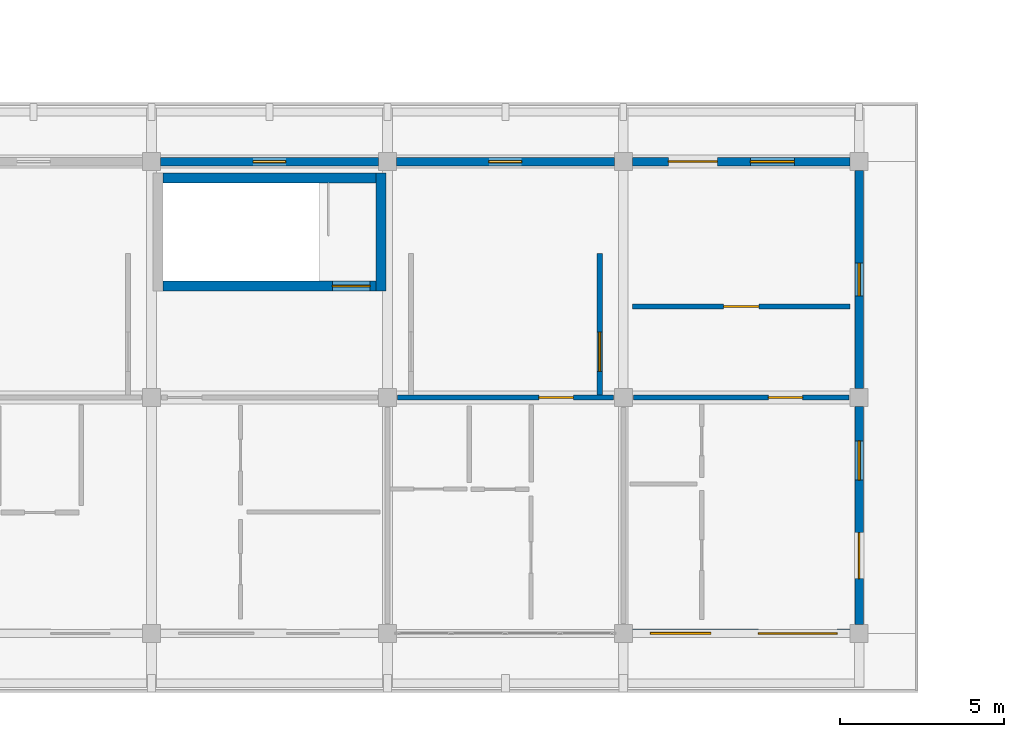
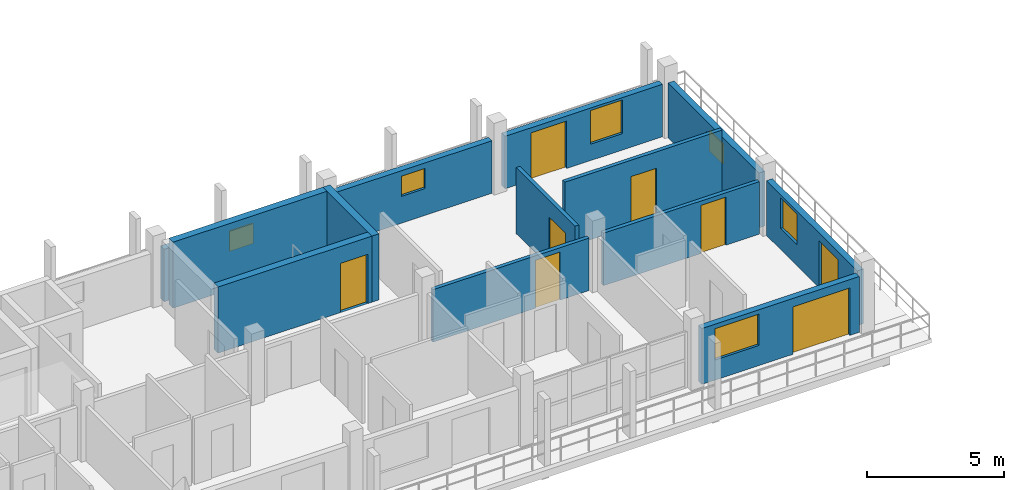
# One storey, part 37 of 65: 13 walls, 8 doors, 6 windows, 14 openings.
"""IFC4 building model written with IfcOpenShell, lengths in metres."""

import ifcopenshell
import ifcopenshell.guid

model = None  # the IFC model being written
_history = None  # IfcOwnerHistory: only IFC2X3 demands one
_inside = {}  # id of a spatial element -> (the spatial element, [elements in it])
_under = {}  # id of a project, library or spatial element -> (it, [spatial elements below it])
_declared = {}  # id of a project -> (the project, [libraries it declares])
_typed = {}  # id of a type object -> (the type object, [elements of that type])
_made_of = {}  # id of a material, layer set ... -> (it, [elements and type objects made of it])


def new_model(schema):
    """Start an empty IFC model of exactly this schema.

    Asked for "IFC4X3", IfcOpenShell would pick the latest addendum, in which some entities
    have other attributes; the version numbers below select the first issue.
    IFC2X3 requires an IfcOwnerHistory on every rooted entity: one is made here for all.
    """
    global model, _history
    if schema == "IFC4X3":
        model = ifcopenshell.file(schema_version=(4, 3, 0, 0))
    else:
        model = ifcopenshell.file(schema=schema)
    _inside.clear()
    _under.clear()
    _declared.clear()
    _typed.clear()
    _made_of.clear()
    _history = None
    if model.schema == "IFC2X3":
        org = make("IfcOrganization", Name="unknown")
        user = make(
            "IfcPersonAndOrganization",
            ThePerson=make("IfcPerson", FamilyName="unknown"),
            TheOrganization=org,
        )
        app = make(
            "IfcApplication",
            ApplicationDeveloper=org,
            Version="unknown",
            ApplicationFullName="unknown",
            ApplicationIdentifier="unknown",
        )
        _history = make(
            "IfcOwnerHistory",
            OwningUser=user,
            OwningApplication=app,
            ChangeAction="ADDED",
            CreationDate=0,
        )
    return model


def make(cls, **values):
    """One entity of the class cls with the attributes given. An attribute that is None is left unset."""
    return model.create_entity(
        cls, **{name: value for name, value in values.items() if value is not None}
    )


def rooted(cls, **values):
    """An entity with a GlobalId (a new one), such as an element, a storey or a relation."""
    return make(cls, GlobalId=ifcopenshell.guid.new(), OwnerHistory=_history, **values)


def si_unit(unit_type, name, prefix=None):
    """IfcSIUnit, for example si_unit("LENGTHUNIT", "METRE", prefix="MILLI")."""
    return make("IfcSIUnit", UnitType=unit_type, Prefix=prefix, Name=name)


def assignment(units):
    """IfcUnitAssignment: the units of a project."""
    return None if units is None else make("IfcUnitAssignment", Units=units)


def point(xyz):
    """IfcCartesianPoint."""
    return None if xyz is None else make("IfcCartesianPoint", Coordinates=xyz)


def direction(xyz):
    """IfcDirection."""
    return None if xyz is None else make("IfcDirection", DirectionRatios=xyz)


def frame(location, z_axis=None, x_axis=None):
    """IfcAxis2Placement3D, a coordinate frame: its origin and axes. An axis left out is left unset."""
    return make(
        "IfcAxis2Placement3D",
        Location=point(location),
        Axis=direction(z_axis),
        RefDirection=direction(x_axis),
    )


def frame_2d(location, x_axis=None):
    """IfcAxis2Placement2D, a coordinate frame in the plane: its origin and x axis."""
    return make(
        "IfcAxis2Placement2D", Location=point(location), RefDirection=direction(x_axis)
    )


def origin():
    """The frame at (0, 0, 0) with its axes left unset."""
    return frame((0.0, 0.0, 0.0))


def place(relative_to, where):
    """IfcLocalPlacement: puts the frame where relative to a parent placement (None: the world)."""
    return make(
        "IfcLocalPlacement", PlacementRelTo=relative_to, RelativePlacement=where
    )


def context(
    kind, dimensions, precision=None, world=None, true_north=None, identifier=None
):
    """IfcGeometricRepresentationContext, for example the 3D "Model" context."""
    return make(
        "IfcGeometricRepresentationContext",
        ContextIdentifier=identifier,
        ContextType=kind,
        CoordinateSpaceDimension=dimensions,
        Precision=precision,
        WorldCoordinateSystem=world,
        TrueNorth=true_north,
    )


def subcontext(parent, identifier, kind, view, scale=None):
    """IfcGeometricRepresentationSubContext, for example "Body" below "Model"."""
    return make(
        "IfcGeometricRepresentationSubContext",
        ContextIdentifier=identifier,
        ContextType=kind,
        ParentContext=parent,
        TargetScale=scale,
        TargetView=view,
    )


def project(units=None, contexts=None):
    """IfcProject with its units and contexts."""
    return rooted(
        "IfcProject",
        Name="project",
        RepresentationContexts=contexts,
        UnitsInContext=assignment(units),
    )


def spatial(cls, under=None, at=None, **own):
    """A site, building, storey or space (cls), placed at a placement, below another one or the project."""
    s = rooted(cls, ObjectPlacement=at, **own)
    if under is not None:
        _under.setdefault(under.id(), (under, []))[1].append(s)
    return s


def profile(cls, at=None, kind="AREA", **sizes):
    """A parametric profile (cls). Its sizes go by their IFC names, for example OverallWidth=200.0."""
    return make(cls, ProfileType=kind, Position=at, **sizes)


def rectangle(**sizes):
    """IfcRectangleProfileDef."""
    return profile("IfcRectangleProfileDef", **sizes)


def extrude(swept, where, along, depth):
    """IfcExtrudedAreaSolid: the profile swept, set in the frame where, extruded along a direction by depth."""
    return make(
        "IfcExtrudedAreaSolid",
        SweptArea=swept,
        Position=where,
        ExtrudedDirection=direction(along),
        Depth=depth,
    )


def shape(context_of_items, identifier, shape_type, items):
    """IfcShapeRepresentation: the items that make up one representation, for example the "Body"."""
    return make(
        "IfcShapeRepresentation",
        ContextOfItems=context_of_items,
        RepresentationIdentifier=identifier,
        RepresentationType=shape_type,
        Items=items,
    )


def material(Name=None, Category=None):
    """IfcMaterial."""
    return make("IfcMaterial", Name=Name, Category=Category)


def layer(
    of_material, thickness, ventilated=None, Name=None, Category=None, Priority=None
):
    """IfcMaterialLayer: one layer of a wall or slab, of a material (None: an air gap)."""
    return make(
        "IfcMaterialLayer",
        Material=of_material,
        LayerThickness=thickness,
        IsVentilated=ventilated,
        Name=Name,
        Category=Category,
        Priority=Priority,
    )


def layer_set(layers, Name=None):
    """IfcMaterialLayerSet."""
    return make("IfcMaterialLayerSet", MaterialLayers=layers, LayerSetName=Name)


def made_of(thing, what):
    """Note that an element or type object is made of a material, layer set ...; save() writes the relation."""
    if what is not None:
        _made_of.setdefault(what.id(), (what, []))[1].append(thing)
    return thing


def type_object(cls, material=None, **own):
    """A type object (cls), such as IfcWallType, which elements share."""
    return made_of(rooted(cls, **own), material)


def element(
    cls,
    number,
    at=None,
    inside=None,
    cuts=None,
    type_object=None,
    material=None,
    context=None,
    identifier="Body",
    shape_type=None,
    held_by="IfcProductDefinitionShape",
    body=None,
    shapes=None,
    **own,
):
    """One element of the class cls, such as IfcWall. Its Tag is "e" and its number.

    at: its placement. inside: the storey or other place that contains it. cuts: it is an
    opening in that element (IfcRelVoidsElement). A single representation is given by context,
    identifier, shape_type and body (its items); several are given by shapes. held_by: the class
    of the entity that holds the representations. save() writes the other relations.
    """
    e = rooted(cls, Tag="e%d" % number, ObjectPlacement=at, **own)
    if body is not None:
        shapes = [shape(context, identifier, shape_type, body)]
    if shapes is not None:
        e.Representation = make(held_by, Representations=shapes)
    if inside is not None:
        _inside.setdefault(inside.id(), (inside, []))[1].append(e)
    if cuts is not None:
        rooted(
            "IfcRelVoidsElement", RelatingBuildingElement=cuts, RelatedOpeningElement=e
        )
    if type_object is not None:
        _typed.setdefault(type_object.id(), (type_object, []))[1].append(e)
    return made_of(e, material)


def fill(opening, filler):
    """IfcRelFillsElement: the door or window that sits in an opening."""
    return rooted(
        "IfcRelFillsElement",
        RelatingOpeningElement=opening,
        RelatedBuildingElement=filler,
    )


def aggregate(whole, parts):
    """IfcRelAggregates: a whole, such as a stair, and the parts it consists of."""
    return rooted("IfcRelAggregates", RelatingObject=whole, RelatedObjects=parts)


def save(model, path):
    """Write the relations noted so far, then the file.

    IfcRelAggregates (storeys below a building ...), IfcRelContainedInSpatialStructure (elements
    in a storey), IfcRelDefinesByType, IfcRelAssociatesMaterial and IfcRelDeclares: one each for
    every whole, place, type object, material and project.
    """
    for whole, parts in _under.values():
        aggregate(whole, parts)
    for where, things in _inside.values():
        rooted(
            "IfcRelContainedInSpatialStructure",
            RelatedElements=things,
            RelatingStructure=where,
        )
    for kind, things in _typed.values():
        rooted("IfcRelDefinesByType", RelatedObjects=things, RelatingType=kind)
    for what, things in _made_of.values():
        rooted("IfcRelAssociatesMaterial", RelatedObjects=things, RelatingMaterial=what)
    for by, libraries in _declared.values():
        rooted("IfcRelDeclares", RelatingContext=by, RelatedDefinitions=libraries)
    model.write(path)


model = new_model("IFC4")

# Units and contexts
model_context = context("Model", 3, precision=1e-05, world=origin(), true_north=direction((0.0, 1.0)))
body_context = subcontext(model_context, "Body", "Model", "MODEL_VIEW")
ifc_project = project(units=[si_unit("LENGTHUNIT", "METRE"), si_unit("AREAUNIT", "SQUARE_METRE"), si_unit("VOLUMEUNIT", "CUBIC_METRE"), si_unit("PLANEANGLEUNIT", "RADIAN"), si_unit("MASSUNIT", "GRAM", prefix="KILO")], contexts=[model_context])

# Site, building, storey
site_placement = place(None, origin())
site = spatial("IfcSite", under=ifc_project, at=site_placement, CompositionType="ELEMENT")
building_placement = place(site_placement, origin())
building = spatial("IfcBuilding", under=site, at=building_placement, Name="Suanplinth Sawtooth Commons", CompositionType="ELEMENT")
storey_placement = place(building_placement, frame((0.0, 0.0, 28.300048828125)))
storey = spatial("IfcBuildingStorey", under=building, at=storey_placement, Name="L08", CompositionType="ELEMENT", Elevation=28.300048828125)

# Wall, opening, door
ifc_material_1 = material(Name="Concrete C40/50", Category="concrete")
ifc_layer_1 = layer(ifc_material_1, 0.300048828125, Name="Standard RC stair and lift core wall 300mm")
ifc_layer_set_1 = layer_set([ifc_layer_1], Name="Concrete C40/50")
wall_type_1 = type_object("IfcWallType", Name="W-CR02", PredefinedType="SHEAR", material=ifc_layer_set_1)
wall_1_placement = place(storey_placement, frame((29.14990234375, 10.60009765625, 0.0), z_axis=(0.0, 0.0, 1.0), x_axis=(1.0, 0.0, 0.0)))
wall_1 = element("IfcWall", 1, at=wall_1_placement, inside=storey, type_object=wall_type_1, Name="W-L08-C-D2-STS", PredefinedType="SHEAR", context=body_context, shape_type="SweptSolid", body=[
    extrude(rectangle(XDim=6.5, YDim=0.300048828125, at=frame_2d((3.25, 0.0))), origin(), (0.0, 0.0, 1.0), 2.949951171875),
])
opening_1_placement = place(wall_1_placement, frame((5.169921875, 0.0, 0.0)))
opening_1 = element("IfcOpeningElement", 2, at=opening_1_placement, cuts=wall_1, Name="Opening FD0424", PredefinedType="OPENING", context=body_context, shape_type="SweptSolid", body=[
    extrude(rectangle(XDim=1.14990234375, YDim=2.199951171875, at=frame_2d((0.574951171875, 1.10009765625))), frame((0.0, 0.1650390625, 0.0), z_axis=(0.0, -1.0, 0.0), x_axis=(1.0, 0.0, 0.0)), (0.0, 0.0, 1.0), 0.329833984375),
])
ifc_material_2 = material(Name="Teak hardwood fire-rated door assembly", Category="wood")
door_type_1 = type_object("IfcDoorType", Name="FD-01", OperationType="NOTDEFINED", PredefinedType="DOOR", material=ifc_material_2)
door_1_placement = place(opening_1_placement, origin())
door_1 = element("IfcDoor", 3, at=door_1_placement, inside=storey, type_object=door_type_1, Name="Exit Stair Fire Door FD0424", OperationType="SINGLE_SWING_LEFT", OverallHeight=2.199951171875, OverallWidth=1.14990234375, PredefinedType="DOOR", context=body_context, shape_type="SweptSolid", body=[
    extrude(rectangle(XDim=1.14990234375, YDim=2.199951171875, at=frame_2d((0.574951171875, 1.10009765625))), frame((0.0, 0.02490234375, 0.0), z_axis=(0.0, -1.0, 0.0), x_axis=(1.0, 0.0, 0.0)), (0.0, 0.0, 1.0), 0.050048828125),
])
fill(opening_1, door_1)

# Walls
wall_2_placement = place(storey_placement, frame((29.14990234375, 13.89990234375, 0.0), z_axis=(0.0, 0.0, 1.0), x_axis=(1.0, 0.0, 0.0)))
element("IfcWall", 4, at=wall_2_placement, inside=storey, type_object=wall_type_1, Name="W-L08-C-D2-STN", PredefinedType="SHEAR", context=body_context, shape_type="SweptSolid", body=[
    extrude(rectangle(XDim=6.5, YDim=0.300048828125, at=frame_2d((3.25, 0.0))), origin(), (0.0, 0.0, 1.0), 2.949951171875),
])
wall_3_placement = place(storey_placement, frame((35.800048828125, 10.449951171875, 0.0), z_axis=(0.0, 0.0, 1.0), x_axis=(0.0, 1.0, 0.0)))
element("IfcWall", 5, at=wall_3_placement, inside=storey, type_object=wall_type_1, Name="W-L08-C-D2-STE", PredefinedType="SHEAR", context=body_context, shape_type="SweptSolid", body=[
    extrude(rectangle(XDim=3.60009765625, YDim=0.300048828125, at=frame_2d((1.800048828125, 0.0))), origin(), (0.0, 0.0, 1.0), 2.949951171875),
])

# Wall, opening, window
ifc_material_3 = material(Name="Precast concrete C40/50", Category="concrete")
ifc_layer_2 = layer(ifc_material_3, 0.260009765625, Name="Insulated precast courtyard facade wall 260mm")
ifc_layer_set_2 = layer_set([ifc_layer_2], Name="Precast concrete C40/50")
wall_type_2 = type_object("IfcWallType", Name="W-EX02", PredefinedType="ELEMENTEDWALL", material=ifc_layer_set_2)
wall_4_placement = place(storey_placement, frame((29.074951171875, 14.39990234375, 0.0), z_axis=(0.0, 0.0, 1.0), x_axis=(1.0, 0.0, 0.0)))
wall_4 = element("IfcWall", 6, at=wall_4_placement, inside=storey, type_object=wall_type_2, Name="Facade Wall W-L08-D-N-4-1", PredefinedType="ELEMENTEDWALL", context=body_context, shape_type="SweptSolid", body=[
    extrude(rectangle(XDim=6.650146484375, YDim=0.260009765625, at=frame_2d((3.3251953125, 0.0))), origin(), (0.0, 0.0, 1.0), 2.344970703125),
])
opening_2_placement = place(wall_4_placement, frame((2.824951171875, 0.0, 1.199951171875)))
opening_2 = element("IfcOpeningElement", 7, at=opening_2_placement, cuts=wall_4, Name="Opening W0766", PredefinedType="OPENING", context=body_context, shape_type="SweptSolid", body=[
    extrude(rectangle(XDim=1.0, YDim=0.89990234375, at=frame_2d((0.5, 0.449951171875))), frame((0.0, 0.14501953125, 0.0), z_axis=(0.0, -1.0, 0.0), x_axis=(1.0, 0.0, 0.0)), (0.0, 0.0, 1.0), 0.289794921875),
])
ifc_material_4 = material(Name="Thermally broken aluminium and low-E double glazing", Category="aluminium")
window_type_1 = type_object("IfcWindowType", Name="WN-12", PartitioningType="SINGLE_PANEL", PredefinedType="WINDOW", material=ifc_material_4)
window_1_placement = place(opening_2_placement, origin())
window_1 = element("IfcWindow", 8, at=window_1_placement, inside=storey, type_object=window_type_1, Name="Core Daylight Window L08-D-4-1", OverallHeight=0.89990234375, OverallWidth=1.0, PartitioningType="SINGLE_PANEL", PredefinedType="WINDOW", context=body_context, shape_type="SweptSolid", body=[
    extrude(rectangle(XDim=1.0, YDim=0.89990234375, at=frame_2d((0.5, 0.449951171875))), frame((0.0, 0.030029296875, 0.0), z_axis=(0.0, -1.0, 0.0), x_axis=(1.0, 0.0, 0.0)), (0.0, 0.0, 1.0), 0.06005859375),
])
fill(opening_2, window_1)

wall_5_placement = place(storey_placement, frame((36.27490234375, 14.39990234375, 0.0), z_axis=(0.0, 0.0, 1.0), x_axis=(1.0, 0.0, 0.0)))
wall_5 = element("IfcWall", 9, at=wall_5_placement, inside=storey, type_object=wall_type_2, Name="Facade Wall W-L08-D-N-5-1", PredefinedType="ELEMENTEDWALL", context=body_context, shape_type="SweptSolid", body=[
    extrude(rectangle(XDim=6.650146484375, YDim=0.260009765625, at=frame_2d((3.3251953125, 0.0))), origin(), (0.0, 0.0, 1.0), 2.344970703125),
])
opening_3_placement = place(wall_5_placement, frame((2.824951171875, 0.0, 1.199951171875)))
opening_3 = element("IfcOpeningElement", 10, at=opening_3_placement, cuts=wall_5, Name="Opening W0767", PredefinedType="OPENING", context=body_context, shape_type="SweptSolid", body=[
    extrude(rectangle(XDim=1.0, YDim=0.89990234375, at=frame_2d((0.5, 0.449951171875))), frame((0.0, 0.14501953125, 0.0), z_axis=(0.0, -1.0, 0.0), x_axis=(1.0, 0.0, 0.0)), (0.0, 0.0, 1.0), 0.289794921875),
])
window_2_placement = place(opening_3_placement, origin())
window_2 = element("IfcWindow", 11, at=window_2_placement, inside=storey, type_object=window_type_1, Name="Core Daylight Window L08-D-5-1", OverallHeight=0.89990234375, OverallWidth=1.0, PartitioningType="SINGLE_PANEL", PredefinedType="WINDOW", context=body_context, shape_type="SweptSolid", body=[
    extrude(rectangle(XDim=1.0, YDim=0.89990234375, at=frame_2d((0.5, 0.449951171875))), frame((0.0, 0.030029296875, 0.0), z_axis=(0.0, -1.0, 0.0), x_axis=(1.0, 0.0, 0.0)), (0.0, 0.0, 1.0), 0.06005859375),
])
fill(opening_3, window_2)

# Wall, openings, door, window
wall_6_placement = place(storey_placement, frame((43.47509765625, 0.0, 0.0), z_axis=(0.0, 0.0, 1.0), x_axis=(1.0, 0.0, 0.0)))
wall_6 = element("IfcWall", 12, at=wall_6_placement, inside=storey, type_object=wall_type_2, Name="Facade Wall W-L08-D-S-6-0", PredefinedType="ELEMENTEDWALL", context=body_context, shape_type="SweptSolid", body=[
    extrude(rectangle(XDim=6.64990234375, YDim=0.260009765625, at=frame_2d((3.324951171875, 0.0))), origin(), (0.0, 0.0, 1.0), 2.494873046875),
])
opening_4_placement = place(wall_6_placement, frame((3.85009765625, 0.0, 0.0)))
opening_4 = element("IfcOpeningElement", 13, at=opening_4_placement, cuts=wall_6, Name="Opening ED0685", PredefinedType="OPENING", context=body_context, shape_type="SweptSolid", body=[
    extrude(rectangle(XDim=2.39990234375, YDim=2.1201171875, at=frame_2d((1.199951171875, 1.06005859375))), frame((0.0, 0.14501953125, 0.0), z_axis=(0.0, -1.0, 0.0), x_axis=(1.0, 0.0, 0.0)), (0.0, 0.0, 1.0), 0.289794921875),
])
opening_5_placement = place(wall_6_placement, frame((0.550048828125, 0.0, 0.89990234375)))
opening_5 = element("IfcOpeningElement", 14, at=opening_5_placement, cuts=wall_6, Name="Opening W0768", PredefinedType="OPENING", context=body_context, shape_type="SweptSolid", body=[
    extrude(rectangle(XDim=1.85009765625, YDim=1.39990234375, at=frame_2d((0.925048828125, 0.699951171875))), frame((0.0, 0.14501953125, 0.0), z_axis=(0.0, -1.0, 0.0), x_axis=(1.0, 0.0, 0.0)), (0.0, 0.0, 1.0), 0.289794921875),
])
ifc_material_5 = material(Name="Anodized aluminium and low-E glass", Category="aluminium")
door_type_2 = type_object("IfcDoorType", Name="SD-04", OperationType="DOUBLE_DOOR_SLIDING", PredefinedType="DOOR", material=ifc_material_5)
door_2_placement = place(opening_4_placement, frame((2.39990234375, 0.0, 0.0), z_axis=(0.0, 0.0, 1.0), x_axis=(-1.0, 0.0, 0.0)))
door_2 = element("IfcDoor", 15, at=door_2_placement, inside=storey, type_object=door_type_2, Name="Balcony Sliding Door L08-D-6", OperationType="DOUBLE_DOOR_SLIDING", OverallHeight=2.1201171875, OverallWidth=2.39990234375, PredefinedType="DOOR", context=body_context, shape_type="SweptSolid", body=[
    extrude(rectangle(XDim=2.39990234375, YDim=2.1201171875, at=frame_2d((1.199951171875, 1.06005859375))), frame((0.0, 0.02490234375, 0.0), z_axis=(0.0, -1.0, 0.0), x_axis=(1.0, 0.0, 0.0)), (0.0, 0.0, 1.0), 0.050048828125),
])
fill(opening_4, door_2)
window_type_2 = type_object("IfcWindowType", Name="WN-23", PartitioningType="DOUBLE_PANEL_VERTICAL", PredefinedType="WINDOW", material=ifc_material_4)
window_3_placement = place(opening_5_placement, origin())
window_3 = element("IfcWindow", 16, at=window_3_placement, inside=storey, type_object=window_type_2, Name="Apartment Window L08-D-6", OverallHeight=1.39990234375, OverallWidth=1.85009765625, PartitioningType="DOUBLE_PANEL_VERTICAL", PredefinedType="WINDOW", context=body_context, shape_type="SweptSolid", body=[
    extrude(rectangle(XDim=1.85009765625, YDim=1.39990234375, at=frame_2d((0.925048828125, 0.699951171875))), frame((0.0, 0.030029296875, 0.0), z_axis=(0.0, -1.0, 0.0), x_axis=(1.0, 0.0, 0.0)), (0.0, 0.0, 1.0), 0.06005859375),
])
fill(opening_5, window_3)

wall_7_placement = place(storey_placement, frame((50.39990234375, 0.27490234375, 0.0), z_axis=(0.0, 0.0, 1.0), x_axis=(0.0, 1.0, 0.0)))
wall_7 = element("IfcWall", 17, at=wall_7_placement, inside=storey, type_object=wall_type_2, Name="Facade Wall W-L08-D-E-6-0", PredefinedType="ELEMENTEDWALL", context=body_context, shape_type="SweptSolid", body=[
    extrude(rectangle(XDim=6.650146484375, YDim=0.260009765625, at=frame_2d((3.3251953125, 0.0))), origin(), (0.0, 0.0, 1.0), 2.445068359375),
])
opening_6_placement = place(wall_7_placement, frame((1.39990234375, 0.0, 0.0)))
opening_6 = element("IfcOpeningElement", 18, at=opening_6_placement, cuts=wall_7, Name="Opening ED0686", PredefinedType="OPENING", context=body_context, shape_type="SweptSolid", body=[
    extrude(rectangle(XDim=1.39990234375, YDim=2.10009765625, at=frame_2d((0.699951171875, 1.050048828125))), frame((0.0, 0.14501953125, 0.0), z_axis=(0.0, -1.0, 0.0), x_axis=(1.0, 0.0, 0.0)), (0.0, 0.0, 1.0), 0.289794921875),
])
opening_7_placement = place(wall_7_placement, frame((4.39990234375, 0.0, 0.949951171875)))
opening_7 = element("IfcOpeningElement", 19, at=opening_7_placement, cuts=wall_7, Name="Opening W0769", PredefinedType="OPENING", context=body_context, shape_type="SweptSolid", body=[
    extrude(rectangle(XDim=1.199951171875, YDim=1.35009765625, at=frame_2d((0.60009765625, 0.675048828125))), frame((0.0, 0.14501953125, 0.0), z_axis=(0.0, -1.0, 0.0), x_axis=(1.0, 0.0, 0.0)), (0.0, 0.0, 1.0), 0.289794921875),
])
door_type_3 = type_object("IfcDoorType", Name="SD-07", OperationType="SLIDING_TO_RIGHT", PredefinedType="DOOR", material=ifc_material_5)
door_3_placement = place(opening_6_placement, frame((1.39990234375, 0.0, 0.0), z_axis=(0.0, 0.0, 1.0), x_axis=(-1.0, 0.0, 0.0)))
door_3 = element("IfcDoor", 20, at=door_3_placement, inside=storey, type_object=door_type_3, Name="End Balcony Sliding Door L08-D-E-6-0", OperationType="SLIDING_TO_RIGHT", OverallHeight=2.10009765625, OverallWidth=1.39990234375, PredefinedType="DOOR", context=body_context, shape_type="SweptSolid", body=[
    extrude(rectangle(XDim=1.39990234375, YDim=2.10009765625, at=frame_2d((0.699951171875, 1.050048828125))), frame((0.0, 0.02490234375, 0.0), z_axis=(0.0, -1.0, 0.0), x_axis=(1.0, 0.0, 0.0)), (0.0, 0.0, 1.0), 0.050048828125),
])
fill(opening_6, door_3)
window_type_3 = type_object("IfcWindowType", Name="WN-03", PartitioningType="SINGLE_PANEL", PredefinedType="WINDOW", material=ifc_material_4)
window_4_placement = place(opening_7_placement, origin())
window_4 = element("IfcWindow", 21, at=window_4_placement, inside=storey, type_object=window_type_3, Name="End Bedroom Window L08-D-6-0", OverallHeight=1.35009765625, OverallWidth=1.199951171875, PartitioningType="SINGLE_PANEL", PredefinedType="WINDOW", context=body_context, shape_type="SweptSolid", body=[
    extrude(rectangle(XDim=1.199951171875, YDim=1.35009765625, at=frame_2d((0.60009765625, 0.675048828125))), frame((0.0, 0.030029296875, 0.0), z_axis=(0.0, -1.0, 0.0), x_axis=(1.0, 0.0, 0.0)), (0.0, 0.0, 1.0), 0.06005859375),
])
fill(opening_7, window_4)

wall_8_placement = place(storey_placement, frame((43.47509765625, 14.39990234375, 0.0), z_axis=(0.0, 0.0, 1.0), x_axis=(1.0, 0.0, 0.0)))
wall_8 = element("IfcWall", 22, at=wall_8_placement, inside=storey, type_object=wall_type_2, Name="Facade Wall W-L08-D-N-6-1", PredefinedType="ELEMENTEDWALL", context=body_context, shape_type="SweptSolid", body=[
    extrude(rectangle(XDim=6.64990234375, YDim=0.260009765625, at=frame_2d((3.324951171875, 0.0))), origin(), (0.0, 0.0, 1.0), 2.344970703125),
])
opening_8_placement = place(wall_8_placement, frame((1.10009765625, 0.0, 0.0)))
opening_8 = element("IfcOpeningElement", 23, at=opening_8_placement, cuts=wall_8, Name="Opening ED0687", PredefinedType="OPENING", context=body_context, shape_type="SweptSolid", body=[
    extrude(rectangle(XDim=1.5, YDim=2.1201171875, at=frame_2d((0.75, 1.06005859375))), frame((0.0, 0.14501953125, 0.0), z_axis=(0.0, -1.0, 0.0), x_axis=(1.0, 0.0, 0.0)), (0.0, 0.0, 1.0), 0.289794921875),
])
opening_9_placement = place(wall_8_placement, frame((3.60009765625, 0.0, 0.735107421875)))
opening_9 = element("IfcOpeningElement", 24, at=opening_9_placement, cuts=wall_8, Name="Opening W0770", PredefinedType="OPENING", context=body_context, shape_type="SweptSolid", body=[
    extrude(rectangle(XDim=1.35009765625, YDim=1.5, at=frame_2d((0.675048828125, 0.75))), frame((0.0, 0.14501953125, 0.0), z_axis=(0.0, -1.0, 0.0), x_axis=(1.0, 0.0, 0.0)), (0.0, 0.0, 1.0), 0.289794921875),
])
door_type_4 = type_object("IfcDoorType", Name="SD-03", OperationType="SLIDING_TO_LEFT", PredefinedType="DOOR", material=ifc_material_5)
door_4_placement = place(opening_8_placement, frame((1.5, 0.0, 0.0), z_axis=(0.0, 0.0, 1.0), x_axis=(-1.0, 0.0, 0.0)))
door_4 = element("IfcDoor", 25, at=door_4_placement, inside=storey, type_object=door_type_4, Name="Courtyard Balcony Door L08-D-6", OperationType="SLIDING_TO_LEFT", OverallHeight=2.1201171875, OverallWidth=1.5, PredefinedType="DOOR", context=body_context, shape_type="SweptSolid", body=[
    extrude(rectangle(XDim=1.5, YDim=2.1201171875, at=frame_2d((0.75, 1.06005859375))), frame((0.0, 0.02490234375, 0.0), z_axis=(0.0, -1.0, 0.0), x_axis=(1.0, 0.0, 0.0)), (0.0, 0.0, 1.0), 0.050048828125),
])
fill(opening_8, door_4)
window_type_4 = type_object("IfcWindowType", Name="WN-14", PartitioningType="SINGLE_PANEL", PredefinedType="WINDOW", material=ifc_material_4)
window_5_placement = place(opening_9_placement, origin())
window_5 = element("IfcWindow", 26, at=window_5_placement, inside=storey, type_object=window_type_4, Name="Courtyard Window L08-D-6", OverallHeight=1.5, OverallWidth=1.35009765625, PartitioningType="SINGLE_PANEL", PredefinedType="WINDOW", context=body_context, shape_type="SweptSolid", body=[
    extrude(rectangle(XDim=1.35009765625, YDim=1.5, at=frame_2d((0.675048828125, 0.75))), frame((0.0, 0.030029296875, 0.0), z_axis=(0.0, -1.0, 0.0), x_axis=(1.0, 0.0, 0.0)), (0.0, 0.0, 1.0), 0.06005859375),
])
fill(opening_9, window_5)

# Wall, opening, window
wall_9_placement = place(storey_placement, frame((50.39990234375, 7.47509765625, 0.0), z_axis=(0.0, 0.0, 1.0), x_axis=(0.0, 1.0, 0.0)))
wall_9 = element("IfcWall", 27, at=wall_9_placement, inside=storey, type_object=wall_type_2, Name="Facade Wall W-L08-D-E-6-1", PredefinedType="ELEMENTEDWALL", context=body_context, shape_type="SweptSolid", body=[
    extrude(rectangle(XDim=6.64990234375, YDim=0.260009765625, at=frame_2d((3.324951171875, 0.0))), origin(), (0.0, 0.0, 1.0), 2.445068359375),
])
opening_10_placement = place(wall_9_placement, frame((2.824951171875, 0.0, 1.10009765625)))
opening_10 = element("IfcOpeningElement", 28, at=opening_10_placement, cuts=wall_9, Name="Opening W0771", PredefinedType="OPENING", context=body_context, shape_type="SweptSolid", body=[
    extrude(rectangle(XDim=1.0, YDim=0.89990234375, at=frame_2d((0.5, 0.449951171875))), frame((0.0, 0.14501953125, 0.0), z_axis=(0.0, -1.0, 0.0), x_axis=(1.0, 0.0, 0.0)), (0.0, 0.0, 1.0), 0.289794921875),
])
window_6_placement = place(opening_10_placement, origin())
window_6 = element("IfcWindow", 29, at=window_6_placement, inside=storey, type_object=window_type_1, Name="End Window L08-D-E-6-1", OverallHeight=0.89990234375, OverallWidth=1.0, PartitioningType="SINGLE_PANEL", PredefinedType="WINDOW", context=body_context, shape_type="SweptSolid", body=[
    extrude(rectangle(XDim=1.0, YDim=0.89990234375, at=frame_2d((0.5, 0.449951171875))), frame((0.0, 0.030029296875, 0.0), z_axis=(0.0, -1.0, 0.0), x_axis=(1.0, 0.0, 0.0)), (0.0, 0.0, 1.0), 0.06005859375),
])
fill(opening_10, window_6)

# Wall, opening, door
ifc_layer_3 = layer(ifc_material_3, 0.159912109375, Name="Fire-rated corridor and lobby wall 160mm")
ifc_layer_set_3 = layer_set([ifc_layer_3], Name="Precast concrete C40/50")
wall_type_3 = type_object("IfcWallType", Name="W-FW01", PredefinedType="PARTITIONING", material=ifc_layer_set_3)
wall_10_placement = place(storey_placement, frame((42.47998046875, 7.280029296875, 0.0), z_axis=(0.0, 0.0, 1.0), x_axis=(0.0, 1.0, 0.0)))
wall_10 = element("IfcWall", 30, at=wall_10_placement, inside=storey, type_object=wall_type_3, Name="W-L08-C-D2-LOB-E", PredefinedType="PARTITIONING", context=body_context, shape_type="SweptSolid", body=[
    extrude(rectangle(XDim=4.320068359375, YDim=0.159912109375, at=frame_2d((2.16015625, 0.0))), origin(), (0.0, 0.0, 1.0), 2.949951171875),
])
opening_11_placement = place(wall_10_placement, frame((0.719970703125, 0.0, 0.0)))
opening_11 = element("IfcOpeningElement", 31, at=opening_11_placement, cuts=wall_10, Name="Opening FD0426", PredefinedType="OPENING", context=body_context, shape_type="SweptSolid", body=[
    extrude(rectangle(XDim=1.199951171875, YDim=2.199951171875, at=frame_2d((0.60009765625, 1.10009765625))), frame((0.0, 0.0947265625, 0.0), z_axis=(0.0, -1.0, 0.0), x_axis=(1.0, 0.0, 0.0)), (0.0, 0.0, 1.0), 0.189697265625),
])
door_type_5 = type_object("IfcDoorType", Name="FD-02", OperationType="NOTDEFINED", PredefinedType="DOOR", material=ifc_material_2)
door_5_placement = place(opening_11_placement, frame((1.199951171875, 0.0, 0.0), z_axis=(0.0, 0.0, 1.0), x_axis=(-1.0, 0.0, 0.0)))
door_5 = element("IfcDoor", 32, at=door_5_placement, inside=storey, type_object=door_type_5, Name="Lobby Fire Door FD0426", OperationType="SINGLE_SWING_LEFT", OverallHeight=2.199951171875, OverallWidth=1.199951171875, PredefinedType="DOOR", context=body_context, shape_type="SweptSolid", body=[
    extrude(rectangle(XDim=1.199951171875, YDim=2.199951171875, at=frame_2d((0.60009765625, 1.10009765625))), frame((0.0, 0.02490234375, 0.0), z_axis=(0.0, -1.0, 0.0), x_axis=(1.0, 0.0, 0.0)), (0.0, 0.0, 1.0), 0.050048828125),
])
fill(opening_11, door_5)

wall_11_placement = place(storey_placement, frame((36.304931640625, 7.199951171875, 0.0), z_axis=(0.0, 0.0, 1.0), x_axis=(1.0, 0.0, 0.0)))
wall_11 = element("IfcWall", 33, at=wall_11_placement, inside=storey, type_object=wall_type_3, Name="W-D-L08-U04-COR", PredefinedType="PARTITIONING", context=body_context, shape_type="SweptSolid", body=[
    extrude(rectangle(XDim=6.590087890625, YDim=0.159912109375, at=frame_2d((3.294921875, 0.0))), origin(), (0.0, 0.0, 1.0), 2.344970703125),
])
opening_12_placement = place(wall_11_placement, frame((4.320068359375, 0.0, 0.0)))
opening_12 = element("IfcOpeningElement", 34, at=opening_12_placement, cuts=wall_11, Name="Opening FD1743", PredefinedType="OPENING", context=body_context, shape_type="SweptSolid", body=[
    extrude(rectangle(XDim=1.050048828125, YDim=2.14990234375, at=frame_2d((0.52490234375, 1.074951171875))), frame((0.0, 0.0947265625, 0.0), z_axis=(0.0, -1.0, 0.0), x_axis=(1.0, 0.0, 0.0)), (0.0, 0.0, 1.0), 0.189697265625),
])
door_type_6 = type_object("IfcDoorType", Name="FD-04", OperationType="NOTDEFINED", PredefinedType="DOOR", material=ifc_material_2)
door_6_placement = place(opening_12_placement, frame((1.050048828125, 0.0, 0.0), z_axis=(0.0, 0.0, 1.0), x_axis=(-1.0, 0.0, 0.0)))
door_6 = element("IfcDoor", 35, at=door_6_placement, inside=storey, type_object=door_type_6, Name="Unit Entrance Door FD1743", OperationType="SINGLE_SWING_LEFT", OverallHeight=2.14990234375, OverallWidth=1.050048828125, PredefinedType="DOOR", context=body_context, shape_type="SweptSolid", body=[
    extrude(rectangle(XDim=1.050048828125, YDim=2.14990234375, at=frame_2d((0.52490234375, 1.074951171875))), frame((0.0, 0.02490234375, 0.0), z_axis=(0.0, -1.0, 0.0), x_axis=(1.0, 0.0, 0.0)), (0.0, 0.0, 1.0), 0.050048828125),
])
fill(opening_12, door_6)

wall_12_placement = place(storey_placement, frame((43.5048828125, 7.199951171875, 0.0), z_axis=(0.0, 0.0, 1.0), x_axis=(1.0, 0.0, 0.0)))
wall_12 = element("IfcWall", 36, at=wall_12_placement, inside=storey, type_object=wall_type_3, Name="W-D-L08-U05-COR", PredefinedType="PARTITIONING", context=body_context, shape_type="SweptSolid", body=[
    extrude(rectangle(XDim=6.590087890625, YDim=0.159912109375, at=frame_2d((3.294921875, 0.0))), origin(), (0.0, 0.0, 1.0), 2.344970703125),
])
opening_13_placement = place(wall_12_placement, frame((4.1201171875, 0.0, 0.0)))
opening_13 = element("IfcOpeningElement", 37, at=opening_13_placement, cuts=wall_12, Name="Opening FD1747", PredefinedType="OPENING", context=body_context, shape_type="SweptSolid", body=[
    extrude(rectangle(XDim=1.050048828125, YDim=2.14990234375, at=frame_2d((0.52490234375, 1.074951171875))), frame((0.0, 0.0947265625, 0.0), z_axis=(0.0, -1.0, 0.0), x_axis=(1.0, 0.0, 0.0)), (0.0, 0.0, 1.0), 0.189697265625),
])
door_7_placement = place(opening_13_placement, frame((1.050048828125, 0.0, 0.0), z_axis=(0.0, 0.0, 1.0), x_axis=(-1.0, 0.0, 0.0)))
door_7 = element("IfcDoor", 38, at=door_7_placement, inside=storey, type_object=door_type_6, Name="Unit Entrance Door FD1747", OperationType="SINGLE_SWING_LEFT", OverallHeight=2.14990234375, OverallWidth=1.050048828125, PredefinedType="DOOR", context=body_context, shape_type="SweptSolid", body=[
    extrude(rectangle(XDim=1.050048828125, YDim=2.14990234375, at=frame_2d((0.52490234375, 1.074951171875))), frame((0.0, 0.02490234375, 0.0), z_axis=(0.0, -1.0, 0.0), x_axis=(1.0, 0.0, 0.0)), (0.0, 0.0, 1.0), 0.050048828125),
])
fill(opening_13, door_7)

wall_13_placement = place(storey_placement, frame((43.47998046875, 9.97998046875, 0.0), z_axis=(0.0, 0.0, 1.0), x_axis=(1.0, 0.0, 0.0)))
wall_13 = element("IfcWall", 39, at=wall_13_placement, inside=storey, type_object=wall_type_3, Name="W-D-L08-COURTROOM-45-COR", PredefinedType="PARTITIONING", context=body_context, shape_type="SweptSolid", body=[
    extrude(rectangle(XDim=6.64013671875, YDim=0.159912109375, at=frame_2d((3.320068359375, 0.0))), origin(), (0.0, 0.0, 1.0), 2.949951171875),
])
opening_14_placement = place(wall_13_placement, frame((2.780029296875, 0.0, 0.0)))
opening_14 = element("IfcOpeningElement", 40, at=opening_14_placement, cuts=wall_13, Name="Opening D1750", PredefinedType="OPENING", context=body_context, shape_type="SweptSolid", body=[
    extrude(rectangle(XDim=1.080078125, YDim=2.219970703125, at=frame_2d((0.5400390625, 1.10986328125))), frame((0.0, 0.0947265625, 0.0), z_axis=(0.0, -1.0, 0.0), x_axis=(1.0, 0.0, 0.0)), (0.0, 0.0, 1.0), 0.189697265625),
])
ifc_material_6 = material(Name="Teak hardwood", Category="wood")
door_type_7 = type_object("IfcDoorType", Name="D-17", OperationType="NOTDEFINED", PredefinedType="DOOR", material=ifc_material_6)
door_8_placement = place(opening_14_placement, origin())
door_8 = element("IfcDoor", 41, at=door_8_placement, inside=storey, type_object=door_type_7, Name="Study Studio Door D1750", OperationType="SINGLE_SWING_RIGHT", OverallHeight=2.219970703125, OverallWidth=1.080078125, PredefinedType="DOOR", context=body_context, shape_type="SweptSolid", body=[
    extrude(rectangle(XDim=1.080078125, YDim=2.219970703125, at=frame_2d((0.5400390625, 1.10986328125))), frame((0.0, 0.02490234375, 0.0), z_axis=(0.0, -1.0, 0.0), x_axis=(1.0, 0.0, 0.0)), (0.0, 0.0, 1.0), 0.050048828125),
])
fill(opening_14, door_8)

save(model, "model.ifc")
